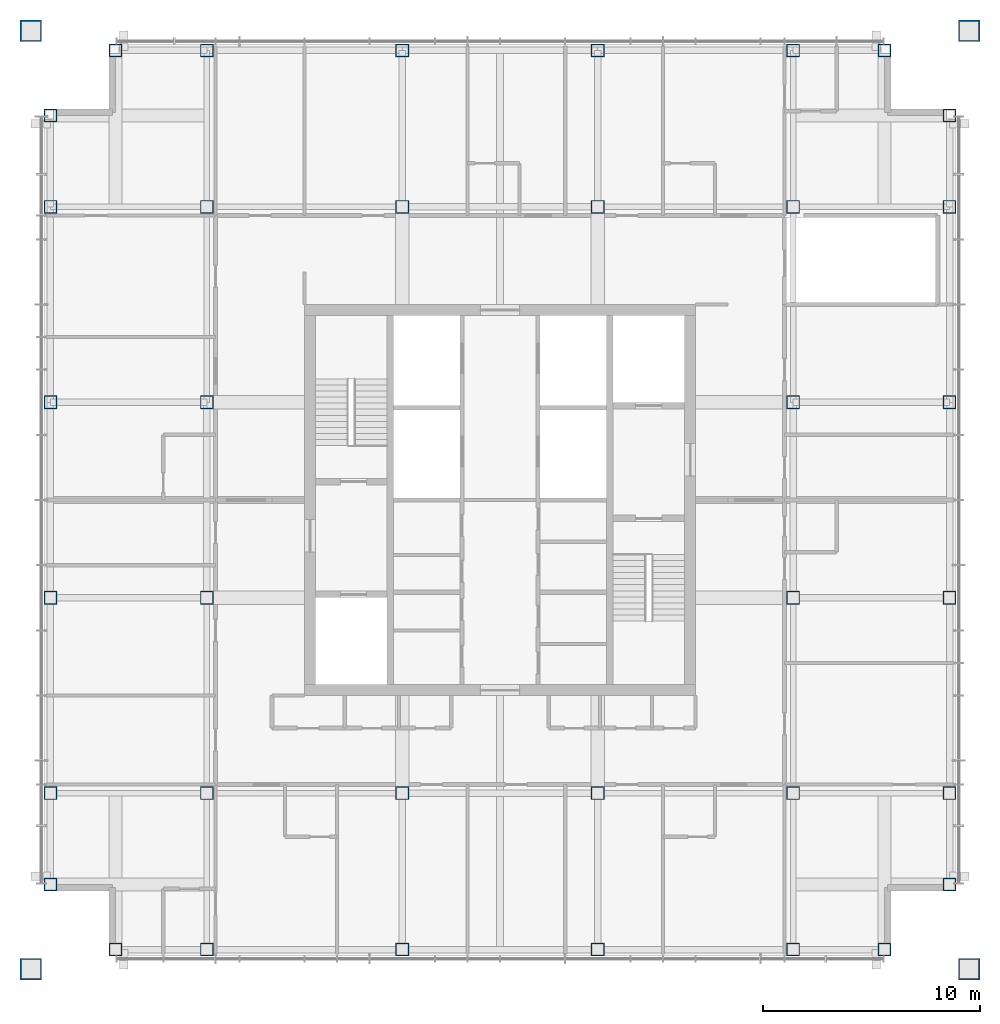
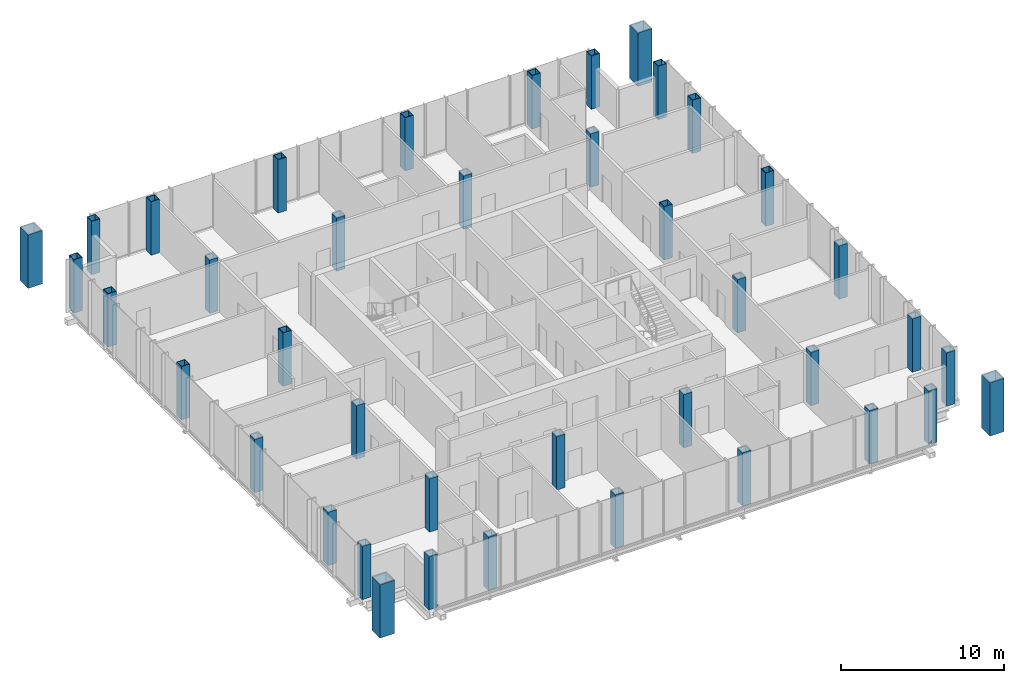
# One storey, part 1 of 12: 40 columns.
"""IFC4 building model written with IfcOpenShell, lengths in metres."""

from ifc_helpers import new_model, si_unit, direction, frame, origin, origin_2d, place, context, subcontext, project, spatial, hollow_rectangle, extrude, material, material_profile, profile_set, type_object, element, save


model = new_model("IFC4")

# Units and contexts
model_context = context("Model", 3, precision=1e-05, world=origin(), true_north=direction((0.0, 1.0)))
body_context = subcontext(model_context, "Body", "Model", "MODEL_VIEW")
ifc_project = project(units=[si_unit("LENGTHUNIT", "METRE"), si_unit("AREAUNIT", "SQUARE_METRE"), si_unit("VOLUMEUNIT", "CUBIC_METRE"), si_unit("PLANEANGLEUNIT", "RADIAN"), si_unit("MASSUNIT", "GRAM", prefix="KILO")], contexts=[model_context])

# Site, building, storey
site_placement = place(None, origin())
site = spatial("IfcSite", under=ifc_project, at=site_placement, CompositionType="ELEMENT")
building_placement = place(site_placement, origin())
building = spatial("IfcBuilding", under=site, at=building_placement, Name="Malebo Sky Hospital", CompositionType="ELEMENT")
storey_placement = place(building_placement, frame((0.0, 0.0, 286.0)))
storey = spatial("IfcBuildingStorey", under=building, at=storey_placement, Name="L69", CompositionType="ELEMENT", Elevation=286.0)

# Columns
ifc_material = material(Name="Steel S460", Category="steel")
ifc_material_profile_1 = material_profile(ifc_material, hollow_rectangle(XDim=0.60009765625, YDim=0.60009765625, WallThickness=0.0400390625, at=origin_2d()), Name="BOX 600x600x40")
ifc_profile_set_1 = profile_set([ifc_material_profile_1], Name="Steel S460")
column_type_1 = type_object("IfcColumnType", Name="INNER COLUMN BOX 600x600x40", PredefinedType="COLUMN", material=ifc_profile_set_1)
for number, where, z_axis, x_axis, name in (
    (1, (46.5, 48.5, 0.0), (0.0, 0.0, 1.0), (1.0, 0.0, 0.0), "Column IC4 L69"),
    (2, (73.5, 48.5, 0.0), (0.0, 0.0, 1.0), (1.0, 0.0, 0.0), "Column IC4 L69"),
    (3, (73.5, 75.5, 0.0), (0.0, 0.0, 1.0), (1.0, 0.0, 0.0), "Column IC4 L69"),
    (4, (46.5, 75.5, 0.0), (0.0, 0.0, 1.0), (1.0, 0.0, 0.0), "Column IC4 L69"),
    (5, (55.5, 48.5, 0.0), (0.0, 0.0, 1.0), (1.0, 0.0, 0.0), "Column IC4 L69"),
    (6, (64.5, 48.5, 0.0), (0.0, 0.0, 1.0), (1.0, 0.0, 0.0), "Column IC4 L69"),
    (7, (55.5, 75.5, 0.0), (0.0, 0.0, 1.0), (1.0, 0.0, 0.0), "Column IC4 L69"),
    (8, (64.5, 75.5, 0.0), (0.0, 0.0, 1.0), (1.0, 0.0, 0.0), "Column IC4 L69"),
    (9, (46.5, 57.5, 0.0), (0.0, 0.0, 1.0), (1.0, 0.0, 0.0), "Column IC4 L69"),
    (10, (46.5, 66.5, 0.0), (0.0, 0.0, 1.0), (1.0, 0.0, 0.0), "Column IC4 L69"),
    (11, (73.5, 57.5, 0.0), (0.0, 0.0, 1.0), (1.0, 0.0, 0.0), "Column IC4 L69"),
    (12, (73.5, 66.5, 0.0), (0.0, 0.0, 1.0), (1.0, 0.0, 0.0), "Column IC4 L69"),
):
    element("IfcColumn", number, at=place(storey_placement, frame(where, z_axis=z_axis, x_axis=x_axis)), inside=storey, type_object=column_type_1, Name=name, PredefinedType="COLUMN", context=body_context, shape_type="SweptSolid", body=[
        extrude(hollow_rectangle(XDim=0.60009765625, YDim=0.60009765625, WallThickness=0.0400390625, at=origin_2d()), origin(), (0.0, 0.0, 1.0), 4.0),
    ])
ifc_material_profile_2 = material_profile(ifc_material, hollow_rectangle(XDim=1.0, YDim=1.0, WallThickness=0.06005859375, at=origin_2d()), Name="BOX 1000x1000x60")
ifc_profile_set_2 = profile_set([ifc_material_profile_2], Name="Steel S460")
column_type_2 = type_object("IfcColumnType", Name="MEGA COLUMN BOX 1000x1000x60", PredefinedType="COLUMN", material=ifc_profile_set_2)
for number, where, z_axis, x_axis, name in (
    (13, (38.39990234375, 40.39990234375, 0.0), (0.0, 0.0, 1.0), (1.0, 0.0, 0.0), "Mega column SW L69"),
    (14, (81.60009765625, 40.39990234375, 0.0), (0.0, 0.0, 1.0), (1.0, 0.0, 0.0), "Mega column SE L69"),
    (15, (81.60009765625, 83.60009765625, 0.0), (0.0, 0.0, 1.0), (1.0, 0.0, 0.0), "Mega column NE L69"),
    (16, (38.39990234375, 83.60009765625, 0.0), (0.0, 0.0, 1.0), (1.0, 0.0, 0.0), "Mega column NW L69"),
):
    element("IfcColumn", number, at=place(storey_placement, frame(where, z_axis=z_axis, x_axis=x_axis)), inside=storey, type_object=column_type_2, Name=name, PredefinedType="COLUMN", context=body_context, shape_type="SweptSolid", body=[
        extrude(hollow_rectangle(XDim=1.0, YDim=1.0, WallThickness=0.06005859375, at=origin_2d()), origin(), (0.0, 0.0, 1.0), 4.0),
    ])
ifc_material_profile_3 = material_profile(ifc_material, hollow_rectangle(XDim=0.60009765625, YDim=0.60009765625, WallThickness=0.0400390625, at=origin_2d()), Name="BOX 600x600x40")
ifc_profile_set_3 = profile_set([ifc_material_profile_3], Name="Steel S460")
column_type_3 = type_object("IfcColumnType", Name="PERIMETER COLUMN BOX 600x600x40", PredefinedType="COLUMN", material=ifc_profile_set_3)
for number, where, z_axis, x_axis, name in (
    (17, (42.300048828125, 41.300048828125, 0.0), (0.0, 0.0, 1.0), (1.0, 0.0, 0.0), "Column PC4 L69"),
    (18, (42.300048828125, 82.699951171875, 0.0), (0.0, 0.0, 1.0), (1.0, 0.0, 0.0), "Column PC4 L69"),
    (19, (39.300048828125, 44.300048828125, 0.0), (0.0, 0.0, 1.0), (1.0, 0.0, 0.0), "Column PC4 L69"),
    (20, (80.699951171875, 44.300048828125, 0.0), (0.0, 0.0, 1.0), (1.0, 0.0, 0.0), "Column PC4 L69"),
    (21, (46.5, 41.300048828125, 0.0), (0.0, 0.0, 1.0), (1.0, 0.0, 0.0), "Column PC4 L69"),
    (22, (46.5, 82.699951171875, 0.0), (0.0, 0.0, 1.0), (1.0, 0.0, 0.0), "Column PC4 L69"),
    (23, (39.300048828125, 48.5, 0.0), (0.0, 0.0, 1.0), (1.0, 0.0, 0.0), "Column PC4 L69"),
    (24, (80.699951171875, 48.5, 0.0), (0.0, 0.0, 1.0), (1.0, 0.0, 0.0), "Column PC4 L69"),
    (25, (55.5, 41.300048828125, 0.0), (0.0, 0.0, 1.0), (1.0, 0.0, 0.0), "Column PC4 L69"),
    (26, (55.5, 82.699951171875, 0.0), (0.0, 0.0, 1.0), (1.0, 0.0, 0.0), "Column PC4 L69"),
    (27, (39.300048828125, 57.5, 0.0), (0.0, 0.0, 1.0), (1.0, 0.0, 0.0), "Column PC4 L69"),
    (28, (80.699951171875, 57.5, 0.0), (0.0, 0.0, 1.0), (1.0, 0.0, 0.0), "Column PC4 L69"),
    (29, (64.5, 41.300048828125, 0.0), (0.0, 0.0, 1.0), (1.0, 0.0, 0.0), "Column PC4 L69"),
    (30, (64.5, 82.699951171875, 0.0), (0.0, 0.0, 1.0), (1.0, 0.0, 0.0), "Column PC4 L69"),
    (31, (39.300048828125, 66.5, 0.0), (0.0, 0.0, 1.0), (1.0, 0.0, 0.0), "Column PC4 L69"),
    (32, (80.699951171875, 66.5, 0.0), (0.0, 0.0, 1.0), (1.0, 0.0, 0.0), "Column PC4 L69"),
    (33, (73.5, 41.300048828125, 0.0), (0.0, 0.0, 1.0), (1.0, 0.0, 0.0), "Column PC4 L69"),
    (34, (73.5, 82.699951171875, 0.0), (0.0, 0.0, 1.0), (1.0, 0.0, 0.0), "Column PC4 L69"),
    (35, (39.300048828125, 75.5, 0.0), (0.0, 0.0, 1.0), (1.0, 0.0, 0.0), "Column PC4 L69"),
    (36, (80.699951171875, 75.5, 0.0), (0.0, 0.0, 1.0), (1.0, 0.0, 0.0), "Column PC4 L69"),
    (37, (77.699951171875, 41.300048828125, 0.0), (0.0, 0.0, 1.0), (1.0, 0.0, 0.0), "Column PC4 L69"),
    (38, (77.699951171875, 82.699951171875, 0.0), (0.0, 0.0, 1.0), (1.0, 0.0, 0.0), "Column PC4 L69"),
    (39, (39.300048828125, 79.699951171875, 0.0), (0.0, 0.0, 1.0), (1.0, 0.0, 0.0), "Column PC4 L69"),
    (40, (80.699951171875, 79.699951171875, 0.0), (0.0, 0.0, 1.0), (1.0, 0.0, 0.0), "Column PC4 L69"),
):
    element("IfcColumn", number, at=place(storey_placement, frame(where, z_axis=z_axis, x_axis=x_axis)), inside=storey, type_object=column_type_3, Name=name, PredefinedType="COLUMN", context=body_context, shape_type="SweptSolid", body=[
        extrude(hollow_rectangle(XDim=0.60009765625, YDim=0.60009765625, WallThickness=0.0400390625, at=origin_2d()), origin(), (0.0, 0.0, 1.0), 4.0),
    ])

save(model, "model.ifc")
